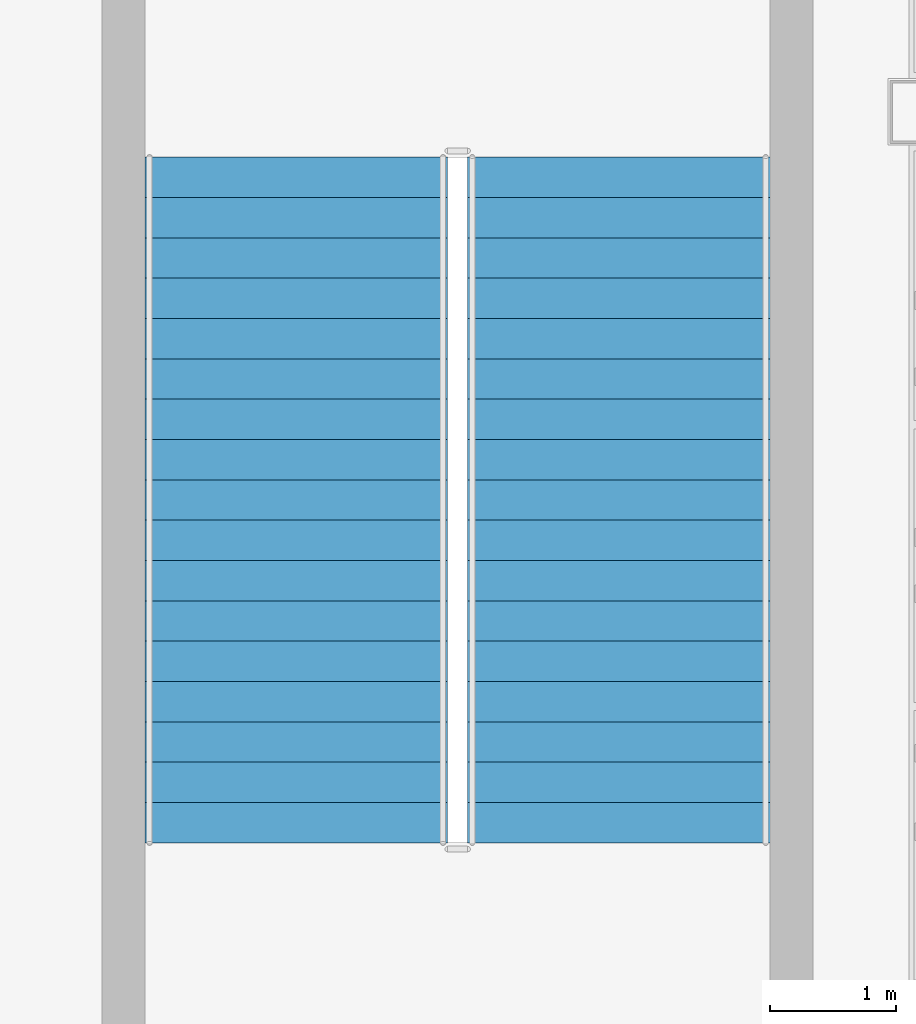
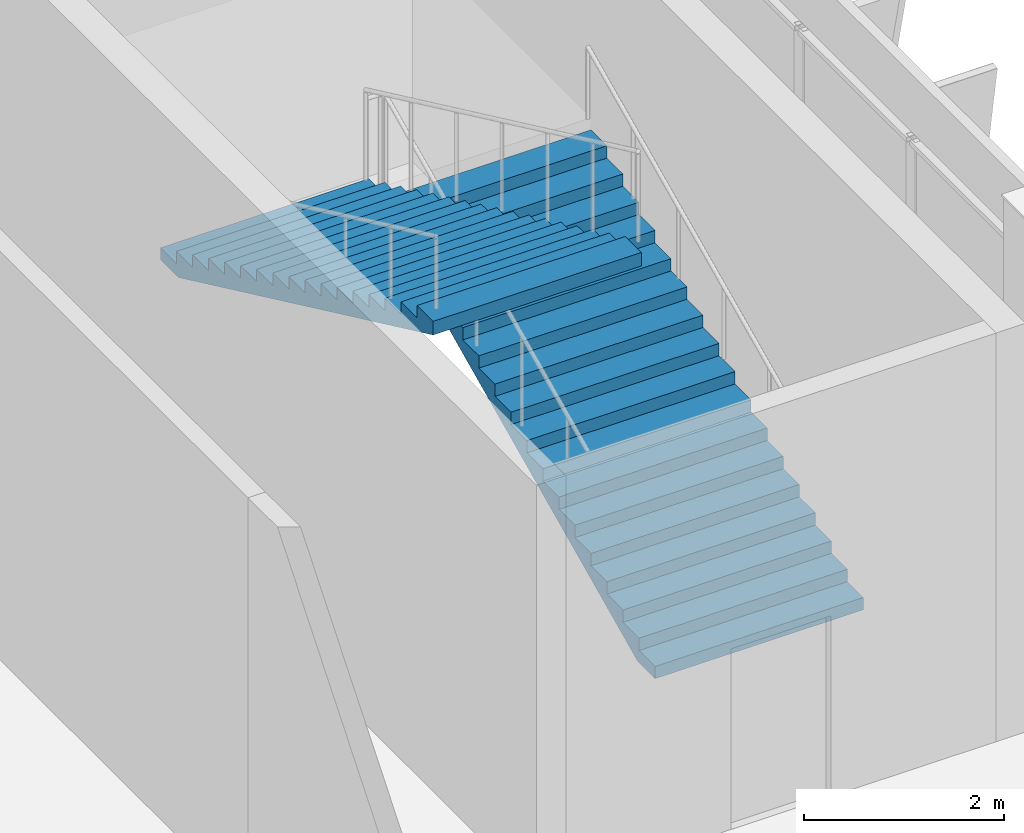
# One storey, part 146 of 189: 2 stair flights, 1 element without a shape of its own.
"""IFC4 building model written with IfcOpenShell, lengths in metres."""

from ifc_helpers import new_model, si_unit, direction, frame, origin, place, context, subcontext, project, spatial, polyline, outline, extrude, material, type_object, element, aggregate, save


model = new_model("IFC4")

# Units and contexts
model_context = context("Model", 3, precision=1e-05, world=origin(), true_north=direction((0.0, 1.0)))
body_context = subcontext(model_context, "Body", "Model", "MODEL_VIEW")
ifc_project = project(units=[si_unit("LENGTHUNIT", "METRE"), si_unit("AREAUNIT", "SQUARE_METRE"), si_unit("VOLUMEUNIT", "CUBIC_METRE"), si_unit("PLANEANGLEUNIT", "RADIAN"), si_unit("MASSUNIT", "GRAM", prefix="KILO")], contexts=[model_context])

# Site, building, storey
site_placement = place(None, origin())
site = spatial("IfcSite", under=ifc_project, at=site_placement, CompositionType="ELEMENT")
building_placement = place(site_placement, origin())
building = spatial("IfcBuilding", under=site, at=building_placement, Name="Celestram Park Convention Centre", CompositionType="ELEMENT")
storey_placement = place(building_placement, frame((0.0, 0.0, 5.39990234375)))
storey = spatial("IfcBuildingStorey", under=building, at=storey_placement, Name="L01", CompositionType="ELEMENT", Elevation=5.39990234375)

# Stair, stair flights
ifc_material = material(Name="Precast Concrete C40/50", Category="concrete")
stair_type = type_object("IfcStairType", Name="ARC-STR-DOG54", PredefinedType="HALF_TURN_STAIR", material=ifc_material)
stair_placement = place(storey_placement, origin())
stair = element("IfcStair", 1, at=stair_placement, inside=storey, type_object=stair_type, Name="L01 Core S07 stair ST-07", PredefinedType="HALF_TURN_STAIR")
stair_flight_type = type_object("IfcStairFlightType", Name="ARC-FLT-18R", PredefinedType="STRAIGHT", material=ifc_material)
stair_flight_1_placement = place(storey_placement, frame((213.60009765625, 152.60009765625, 0.0), z_axis=(0.0, 0.0, 1.0), x_axis=(0.0, 1.0, 0.0)))
stair_flight_1 = element("IfcStairFlight", 2, at=stair_flight_1_placement, type_object=stair_flight_type, Name="ST-07 flight 1", NumberOfRisers=18, NumberOfTreads=17, PredefinedType="STRAIGHT", RiserHeight=0.15, TreadLength=0.32, context=body_context, shape_type="SweptSolid", body=[
    extrude(outline(polyline([(0.0, 0.0), (0.0, 0.14990234375), (0.320068359375, 0.14990234375), (0.320068359375, 0.300048828125), (0.639892578125, 0.300048828125), (0.639892578125, 0.449951171875), (0.9599609375, 0.449951171875), (0.9599609375, 0.60009765625), (1.280029296875, 0.60009765625), (1.280029296875, 0.75), (1.60009765625, 0.75), (1.60009765625, 0.89990234375), (1.919921875, 0.89990234375), (1.919921875, 1.050048828125), (2.239990234375, 1.050048828125), (2.239990234375, 1.199951171875), (2.56005859375, 1.199951171875), (2.56005859375, 1.35009765625), (2.8798828125, 1.35009765625), (2.8798828125, 1.5), (3.199951171875, 1.5), (3.199951171875, 1.64990234375), (3.52001953125, 1.64990234375), (3.52001953125, 1.800048828125), (3.840087890625, 1.800048828125), (3.840087890625, 1.949951171875), (4.159912109375, 1.949951171875), (4.159912109375, 2.10009765625), (4.47998046875, 2.10009765625), (4.47998046875, 2.25), (4.800048828125, 2.25), (4.800048828125, 2.39990234375), (5.1201171875, 2.39990234375), (5.1201171875, 2.550048828125), (5.43994140625, 2.550048828125), (5.43994140625, 2.699951171875), (5.43994140625, 2.384521484375), (0.353271484375, 0.0), (0.0, 0.0)])), frame((0.0, 1.199951171875, 0.0), z_axis=(0.0, -1.0, 0.0), x_axis=(1.0, 0.0, 0.0)), (0.0, 0.0, 1.0), 2.39990234375),
])
stair_flight_2_placement = place(storey_placement, frame((211.0400390625, 158.0400390625, 2.7001953125), z_axis=(0.0, 0.0, 1.0), x_axis=(0.0, -1.0, 0.0)))
stair_flight_2 = element("IfcStairFlight", 3, at=stair_flight_2_placement, type_object=stair_flight_type, Name="ST-07 flight 2", NumberOfRisers=18, NumberOfTreads=17, PredefinedType="STRAIGHT", RiserHeight=0.15, TreadLength=0.32, context=body_context, shape_type="SweptSolid", body=[
    extrude(outline(polyline([(0.0, 0.0), (0.0, 0.14990234375), (0.320068359375, 0.14990234375), (0.320068359375, 0.300048828125), (0.639892578125, 0.300048828125), (0.639892578125, 0.449951171875), (0.9599609375, 0.449951171875), (0.9599609375, 0.60009765625), (1.280029296875, 0.60009765625), (1.280029296875, 0.75), (1.60009765625, 0.75), (1.60009765625, 0.89990234375), (1.919921875, 0.89990234375), (1.919921875, 1.050048828125), (2.239990234375, 1.050048828125), (2.239990234375, 1.199951171875), (2.56005859375, 1.199951171875), (2.56005859375, 1.35009765625), (2.8798828125, 1.35009765625), (2.8798828125, 1.5), (3.199951171875, 1.5), (3.199951171875, 1.64990234375), (3.52001953125, 1.64990234375), (3.52001953125, 1.800048828125), (3.840087890625, 1.800048828125), (3.840087890625, 1.949951171875), (4.159912109375, 1.949951171875), (4.159912109375, 2.10009765625), (4.47998046875, 2.10009765625), (4.47998046875, 2.25), (4.800048828125, 2.25), (4.800048828125, 2.39990234375), (5.1201171875, 2.39990234375), (5.1201171875, 2.550048828125), (5.43994140625, 2.550048828125), (5.43994140625, 2.699951171875), (5.43994140625, 2.384521484375), (0.353271484375, 0.0), (0.0, 0.0)])), frame((0.0, 1.199951171875, 0.0), z_axis=(0.0, -1.0, 0.0), x_axis=(1.0, 0.0, 0.0)), (0.0, 0.0, 1.0), 2.39990234375),
])
aggregate(stair, [stair_flight_1, stair_flight_2])

save(model, "model.ifc")
